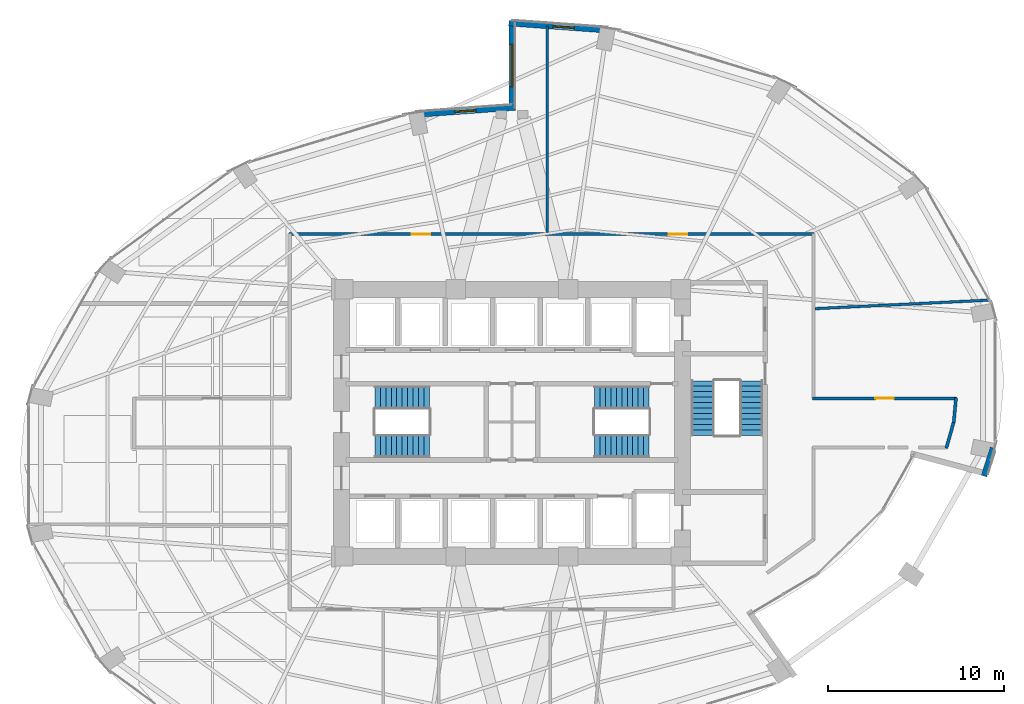
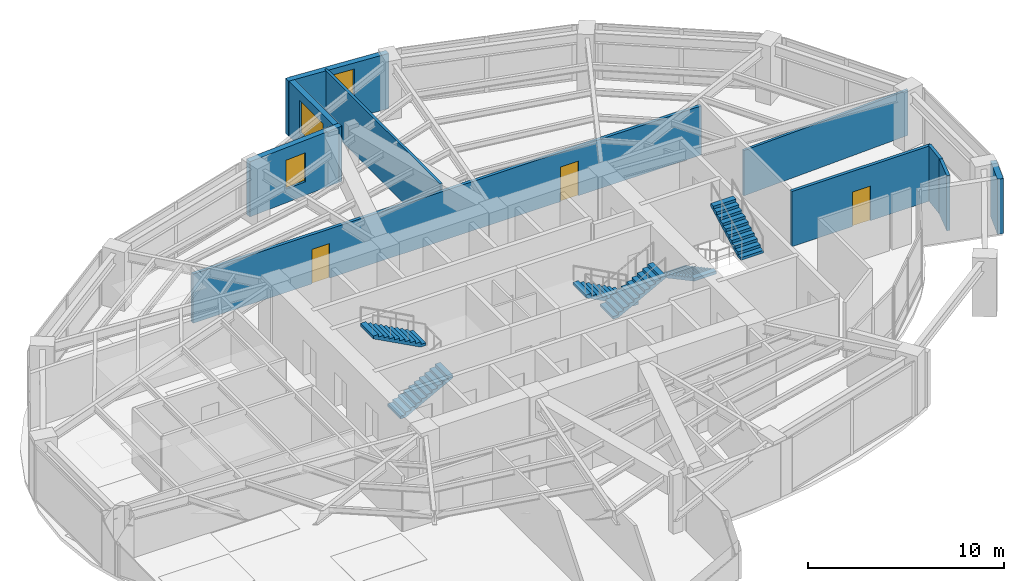
# One storey, part 22 of 24: 10 walls, 6 stair flights, 3 doors, 3 windows, 6 openings, 3 elements without a shape of their own.
"""IFC4 building model written with IfcOpenShell, lengths in metres."""

from ifc_helpers import new_model, si_unit, direction, frame, frame_2d, origin, place, context, subcontext, project, spatial, polyline, rectangle, outline, extrude, material, layer, layer_set, type_object, element, fill, aggregate, save


model = new_model("IFC4")

# Units and contexts
model_context = context("Model", 3, precision=1e-05, world=origin(), true_north=direction((0.0, 1.0)))
body_context = subcontext(model_context, "Body", "Model", "MODEL_VIEW")
ifc_project = project(units=[si_unit("LENGTHUNIT", "METRE"), si_unit("AREAUNIT", "SQUARE_METRE"), si_unit("VOLUMEUNIT", "CUBIC_METRE"), si_unit("PLANEANGLEUNIT", "RADIAN"), si_unit("MASSUNIT", "GRAM", prefix="KILO")], contexts=[model_context])

# Site, building, storey
site_placement = place(None, origin())
site = spatial("IfcSite", under=ifc_project, at=site_placement, CompositionType="ELEMENT")
building_placement = place(site_placement, origin())
building = spatial("IfcBuilding", under=site, at=building_placement, Name="Lazwardi Medical Tower", CompositionType="ELEMENT")
storey_placement = place(building_placement, frame((0.0, 0.0, 61.679931640625)))
storey = spatial("IfcBuildingStorey", under=building, at=storey_placement, Name="L15", CompositionType="ELEMENT", Elevation=61.679931640625)

# Wall, openings, doors
ifc_material_1 = material(Name="Fire-rated gypsum board on steel stud", Category="steel")
ifc_layer_1 = layer(ifc_material_1, 0.179931640625)
ifc_layer_set_1 = layer_set([ifc_layer_1], Name="Fire-rated gypsum board on steel stud")
wall_type_1 = type_object("IfcWallType", Name="WL-COR-180", PredefinedType="PARTITIONING", material=ifc_layer_set_1)
wall_1_placement = place(storey_placement, frame((23.31005859375, 38.75, 0.0), z_axis=(0.0, 0.0, 1.0), x_axis=(1.0, 0.0, 0.0)))
wall_1 = element("IfcWall", 1, at=wall_1_placement, inside=storey, type_object=wall_type_1, Name="L15 Corridor partition 4", PredefinedType="PARTITIONING", context=body_context, shape_type="SweptSolid", body=[
    extrude(rectangle(XDim=29.8798828125, YDim=0.179931640625, at=frame_2d((14.93994140625, 0.0))), origin(), (0.0, 0.0, 1.0), 3.052978515625),
])
opening_1_placement = place(wall_1_placement, frame((21.60107421875, 0.0, 0.0)))
opening_1 = element("IfcOpeningElement", 2, at=opening_1_placement, cuts=wall_1, Name="Opening D-L15-014", PredefinedType="OPENING", context=body_context, shape_type="SweptSolid", body=[
    extrude(rectangle(XDim=1.050048828125, YDim=2.14990234375, at=frame_2d((0.52490234375, 1.074951171875))), frame((0.0, 0.099853515625, 0.0), z_axis=(0.0, -1.0, 0.0), x_axis=(1.0, 0.0, 0.0)), (0.0, 0.0, 1.0), 0.199951171875),
])
opening_2_placement = place(wall_1_placement, frame((6.97900390625, 0.0, 0.0)))
opening_2 = element("IfcOpeningElement", 3, at=opening_2_placement, cuts=wall_1, Name="Opening D-L15-015", PredefinedType="OPENING", context=body_context, shape_type="SweptSolid", body=[
    extrude(rectangle(XDim=1.050048828125, YDim=2.14990234375, at=frame_2d((0.52490234375, 1.074951171875))), frame((0.0, 0.099853515625, 0.0), z_axis=(0.0, -1.0, 0.0), x_axis=(1.0, 0.0, 0.0)), (0.0, 0.0, 1.0), 0.199951171875),
])
ifc_material_2 = material(Name="Anti-microbial laminate hospital leaf")
door_type = type_object("IfcDoorType", Name="DR-CLN-1050", OperationType="NOTDEFINED", PredefinedType="DOOR", material=ifc_material_2)
door_1_placement = place(opening_1_placement, origin())
door_1 = element("IfcDoor", 4, at=door_1_placement, inside=storey, type_object=door_type, Name="L15 Clinical Specialist Office Door 06", OperationType="SINGLE_SWING_LEFT", OverallHeight=2.14990234375, OverallWidth=1.050048828125, PredefinedType="DOOR", context=body_context, shape_type="SweptSolid", body=[
    extrude(rectangle(XDim=1.050048828125, YDim=2.14990234375, at=frame_2d((0.52490234375, 1.074951171875))), frame((0.0, 0.02490234375, 0.0), z_axis=(0.0, -1.0, 0.0), x_axis=(1.0, 0.0, 0.0)), (0.0, 0.0, 1.0), 0.050048828125),
])
fill(opening_1, door_1)
door_2_placement = place(opening_2_placement, origin())
door_2 = element("IfcDoor", 5, at=door_2_placement, inside=storey, type_object=door_type, Name="L15 Clinical Specialist Office Door 07", OperationType="SINGLE_SWING_RIGHT", OverallHeight=2.14990234375, OverallWidth=1.050048828125, PredefinedType="DOOR", context=body_context, shape_type="SweptSolid", body=[
    extrude(rectangle(XDim=1.050048828125, YDim=2.14990234375, at=frame_2d((0.52490234375, 1.074951171875))), frame((0.0, 0.02490234375, 0.0), z_axis=(0.0, -1.0, 0.0), x_axis=(1.0, 0.0, 0.0)), (0.0, 0.0, 1.0), 0.050048828125),
])
fill(opening_2, door_2)

# Wall, opening, door
wall_2_placement = place(storey_placement, frame((53.110107421875, 29.39990234375, 0.0), z_axis=(0.0, 0.0, 1.0), x_axis=(1.0, 0.0, 0.0)))
wall_2 = element("IfcWall", 6, at=wall_2_placement, inside=storey, type_object=wall_type_1, Name="L15 Corridor partition 6", PredefinedType="PARTITIONING", context=body_context, shape_type="SweptSolid", body=[
    extrude(rectangle(XDim=8.19677734375, YDim=0.179931640625, at=frame_2d((4.098388671875, 0.0))), origin(), (0.0, 0.0, 1.0), 3.427978515625),
])
opening_3_placement = place(wall_2_placement, frame((3.573486328125, 0.0, 0.0)))
opening_3 = element("IfcOpeningElement", 7, at=opening_3_placement, cuts=wall_2, Name="Opening D-L15-013", PredefinedType="OPENING", context=body_context, shape_type="SweptSolid", body=[
    extrude(rectangle(XDim=1.050048828125, YDim=2.14990234375, at=frame_2d((0.52490234375, 1.074951171875))), frame((0.0, 0.099853515625, 0.0), z_axis=(0.0, -1.0, 0.0), x_axis=(1.0, 0.0, 0.0)), (0.0, 0.0, 1.0), 0.199951171875),
])
door_3_placement = place(opening_3_placement, origin())
door_3 = element("IfcDoor", 8, at=door_3_placement, inside=storey, type_object=door_type, Name="L15 Clinical Specialist Office Door 05", OperationType="SINGLE_SWING_RIGHT", OverallHeight=2.14990234375, OverallWidth=1.050048828125, PredefinedType="DOOR", context=body_context, shape_type="SweptSolid", body=[
    extrude(rectangle(XDim=1.050048828125, YDim=2.14990234375, at=frame_2d((0.52490234375, 1.074951171875))), frame((0.0, 0.02490234375, 0.0), z_axis=(0.0, -1.0, 0.0), x_axis=(1.0, 0.0, 0.0)), (0.0, 0.0, 1.0), 0.050048828125),
])
fill(opening_3, door_3)

# Walls
wall_3_placement = place(storey_placement, frame((61.2705078125, 29.439697265625, 0.0), z_axis=(0.0, 0.0, 1.0), x_axis=(-0.092539930621, -0.995708974169, 0.0)))
element("IfcWall", 9, at=wall_3_placement, inside=storey, type_object=wall_type_1, Name="L15 Corridor partition 7", PredefinedType="PARTITIONING", context=body_context, shape_type="SweptSolid", body=[
    extrude(rectangle(XDim=1.416748046875, YDim=0.179931640625, at=frame_2d((0.70849609375, 0.0))), origin(), (0.0, 0.0, 1.0), 3.427978515625),
])
wall_4_placement = place(storey_placement, frame((61.15380859375, 28.107421875, 0.0), z_axis=(0.0, 0.0, 1.0), x_axis=(-0.271748942561, -0.962368179138, 0.0)))
element("IfcWall", 10, at=wall_4_placement, inside=storey, type_object=wall_type_1, Name="L15 Corridor partition 8", PredefinedType="PARTITIONING", context=body_context, shape_type="SweptSolid", body=[
    extrude(rectangle(XDim=1.6064453125, YDim=0.179931640625, at=frame_2d((0.80322265625, 0.0))), origin(), (0.0, 0.0, 1.0), 3.427978515625),
])

# Wall, opening, window
ifc_material_3 = material(Name="Precast concrete C45/55", Category="concrete")
ifc_layer_2 = layer(ifc_material_3, 0.320068359375)
ifc_layer_set_2 = layer_set([ifc_layer_2], Name="Precast concrete C45/55")
wall_type_2 = type_object("IfcWallType", Name="WL-IWAN-320", PredefinedType="SOLIDWALL", material=ifc_layer_set_2)
wall_5_placement = place(storey_placement, frame((41.481201171875, 50.345703125, 0.0), z_axis=(0.0, 0.0, 1.0), x_axis=(-0.997422321809, 0.071754525696, 0.0)))
wall_5 = element("IfcWall", 11, at=wall_5_placement, inside=storey, type_object=wall_type_2, Name="L15 Iwan Portal Return Wall NE_ret", PredefinedType="SOLIDWALL", context=body_context, shape_type="SweptSolid", body=[
    extrude(rectangle(XDim=5.67529296875, YDim=0.320068359375, at=frame_2d((2.837646484375, 0.0))), origin(), (0.0, 0.0, 1.0), 3.427978515625),
])
opening_4_placement = place(wall_5_placement, frame((1.94921875, 0.0, 0.85009765625)))
opening_4 = element("IfcOpeningElement", 12, at=opening_4_placement, cuts=wall_5, Name="Opening WN-01", PredefinedType="OPENING", context=body_context, shape_type="SweptSolid", body=[
    extrude(rectangle(XDim=1.199951171875, YDim=2.199951171875, at=frame_2d((0.60009765625, 1.10009765625))), frame((0.0, 0.169921875, 0.0), z_axis=(0.0, -1.0, 0.0), x_axis=(1.0, 0.0, 0.0)), (0.0, 0.0, 1.0), 0.340087890625),
])
ifc_material_4 = material(Name="Low-e bronze solar control double glazing", Category="glass")
window_type_1 = type_object("IfcWindowType", Name="WIN-IW-1200", PartitioningType="SINGLE_PANEL", PredefinedType="WINDOW", material=ifc_material_4)
window_1_placement = place(opening_4_placement, origin())
window_1 = element("IfcWindow", 13, at=window_1_placement, inside=storey, type_object=window_type_1, Name="L15 Iwan Slot Window NE_ret", OverallHeight=2.199951171875, OverallWidth=1.199951171875, PartitioningType="SINGLE_PANEL", PredefinedType="WINDOW", context=body_context, shape_type="SweptSolid", body=[
    extrude(rectangle(XDim=1.199951171875, YDim=2.199951171875, at=frame_2d((0.60009765625, 1.10009765625))), frame((0.0, 0.030029296875, 0.0), z_axis=(0.0, -1.0, 0.0), x_axis=(1.0, 0.0, 0.0)), (0.0, 0.0, 1.0), 0.06005859375),
])
fill(opening_4, window_1)

wall_6_placement = place(storey_placement, frame((36.178955078125, 45.952880859375, 0.0), z_axis=(0.0, 0.0, 1.0), x_axis=(-0.997421878774, -0.071760683825, 0.0)))
wall_6 = element("IfcWall", 14, at=wall_6_placement, inside=storey, type_object=wall_type_2, Name="L15 Iwan Portal Return Wall NW_ret", PredefinedType="SOLIDWALL", context=body_context, shape_type="SweptSolid", body=[
    extrude(rectangle(XDim=5.6748046875, YDim=0.320068359375, at=frame_2d((2.83740234375, 0.0))), origin(), (0.0, 0.0, 1.0), 3.427978515625),
])
opening_5_placement = place(wall_6_placement, frame((2.2373046875, 0.0, 0.85009765625)))
opening_5 = element("IfcOpeningElement", 15, at=opening_5_placement, cuts=wall_6, Name="Opening WN-04", PredefinedType="OPENING", context=body_context, shape_type="SweptSolid", body=[
    extrude(rectangle(XDim=1.199951171875, YDim=1.800048828125, at=frame_2d((0.60009765625, 0.89990234375))), frame((0.0, 0.169921875, 0.0), z_axis=(0.0, -1.0, 0.0), x_axis=(1.0, 0.0, 0.0)), (0.0, 0.0, 1.0), 0.340087890625),
])
window_type_2 = type_object("IfcWindowType", Name="WIN-DRUM-1200", PartitioningType="SINGLE_PANEL", PredefinedType="WINDOW", material=ifc_material_4)
window_2_placement = place(opening_5_placement, origin())
window_2 = element("IfcWindow", 16, at=window_2_placement, inside=storey, type_object=window_type_2, Name="L15 Iwan Slot Window NW_ret", OverallHeight=1.800048828125, OverallWidth=1.199951171875, PartitioningType="SINGLE_PANEL", PredefinedType="WINDOW", context=body_context, shape_type="SweptSolid", body=[
    extrude(rectangle(XDim=1.199951171875, YDim=1.800048828125, at=frame_2d((0.60009765625, 0.89990234375))), frame((0.0, 0.030029296875, 0.0), z_axis=(0.0, -1.0, 0.0), x_axis=(1.0, 0.0, 0.0)), (0.0, 0.0, 1.0), 0.06005859375),
])
fill(opening_5, window_2)

wall_7_placement = place(storey_placement, frame((36.0, 50.89990234375, 0.0), z_axis=(0.0, 0.0, 1.0), x_axis=(0.0, -1.0, 0.0)))
wall_7 = element("IfcWall", 17, at=wall_7_placement, inside=storey, type_object=wall_type_2, Name="L15 Turquoise Tilework Iwan Seam Wall N_seam", PredefinedType="SOLIDWALL", context=body_context, shape_type="SweptSolid", body=[
    extrude(rectangle(XDim=5.119873046875, YDim=0.320068359375, at=frame_2d((2.56005859375, 0.0))), origin(), (0.0, 0.0, 1.0), 3.427978515625),
])
opening_6_placement = place(wall_7_placement, frame((1.360107421875, 0.0, 0.840087890625)))
opening_6 = element("IfcOpeningElement", 18, at=opening_6_placement, cuts=wall_7, Name="Opening WN-02", PredefinedType="OPENING", context=body_context, shape_type="SweptSolid", body=[
    extrude(rectangle(XDim=2.39990234375, YDim=2.0400390625, at=frame_2d((1.199951171875, 1.02001953125))), frame((0.0, 0.169921875, 0.0), z_axis=(0.0, -1.0, 0.0), x_axis=(1.0, 0.0, 0.0)), (0.0, 0.0, 1.0), 0.340087890625),
])
window_type_3 = type_object("IfcWindowType", Name="WIN-IW-2400", PartitioningType="SINGLE_PANEL", PredefinedType="WINDOW", material=ifc_material_4)
window_3_placement = place(opening_6_placement, origin())
window_3 = element("IfcWindow", 19, at=window_3_placement, inside=storey, type_object=window_type_3, Name="L15 Iwan Seam Window N_seam", OverallHeight=2.0400390625, OverallWidth=2.39990234375, PartitioningType="SINGLE_PANEL", PredefinedType="WINDOW", context=body_context, shape_type="SweptSolid", body=[
    extrude(rectangle(XDim=2.39990234375, YDim=2.0400390625, at=frame_2d((1.199951171875, 1.02001953125))), frame((0.0, 0.030029296875, 0.0), z_axis=(0.0, -1.0, 0.0), x_axis=(1.0, 0.0, 0.0)), (0.0, 0.0, 1.0), 0.06005859375),
])
fill(opening_6, window_3)

# Walls
wall_8_placement = place(storey_placement, frame((62.862060546875, 24.97802734375, 0.0), z_axis=(0.0, 0.0, 1.0), x_axis=(0.303964491771, 0.952683361743, 0.0)))
element("IfcWall", 20, at=wall_8_placement, inside=storey, type_object=wall_type_2, Name="L15 Sky Garden SG1 Jamb Return Wall", PredefinedType="SOLIDWALL", context=body_context, shape_type="SweptSolid", body=[
    extrude(rectangle(XDim=1.681884765625, YDim=0.320068359375, at=frame_2d((0.8408203125, 0.0))), origin(), (0.0, 0.0, 1.0), 3.427978515625),
])
ifc_material_5 = material(Name="Acoustic gypsum board partition")
ifc_layer_3 = layer(ifc_material_5, 0.14990234375)
ifc_layer_set_3 = layer_set([ifc_layer_3], Name="Acoustic gypsum board partition")
wall_type_3 = type_object("IfcWallType", Name="WL-WRD-150", PredefinedType="PARTITIONING", material=ifc_layer_set_3)
wall_9_placement = place(storey_placement, frame((53.239990234375, 34.503662109375, 0.0), z_axis=(0.0, 0.0, 1.0), x_axis=(0.998798003682, 0.049015791742, 0.0)))
element("IfcWall", 21, at=wall_9_placement, inside=storey, type_object=wall_type_3, Name="L15 Room partition 3", PredefinedType="PARTITIONING", context=body_context, shape_type="SweptSolid", body=[
    extrude(rectangle(XDim=9.94677734375, YDim=0.14990234375, at=frame_2d((4.973388671875, 0.0))), origin(), (0.0, 0.0, 1.0), 2.81298828125),
])
wall_10_placement = place(storey_placement, frame((38.0, 38.840087890625, 0.0), z_axis=(0.0, 0.0, 1.0), x_axis=(0.0, 1.0, 0.0)))
element("IfcWall", 22, at=wall_10_placement, inside=storey, type_object=wall_type_3, Name="L15 Room partition 4", PredefinedType="PARTITIONING", context=body_context, shape_type="SweptSolid", body=[
    extrude(rectangle(XDim=11.743408203125, YDim=0.14990234375, at=frame_2d((5.87158203125, 0.0))), origin(), (0.0, 0.0, 1.0), 3.427978515625),
])

# Stair, stair flights
ifc_material_6 = material(Name="Concrete C45/55", Category="concrete")
stair_type = type_object("IfcStairType", Name="STR-WRD", PredefinedType="HALF_TURN_STAIR", material=ifc_material_6)
stair_1_placement = place(storey_placement, origin())
stair_1 = element("IfcStair", 23, at=stair_1_placement, inside=storey, type_object=stair_type, Name="L15 Protected Exit Stair ST1", PredefinedType="HALF_TURN_STAIR")
stair_flight_type = type_object("IfcStairFlightType", Name="FLT-WRD", PredefinedType="STRAIGHT", material=ifc_material_6)
stair_flight_1_placement = place(storey_placement, frame((28.199951171875, 26.679931640625, 0.0), z_axis=(0.0, 0.0, 1.0), x_axis=(1.0, 0.0, 0.0)))
stair_flight_1 = element("IfcStairFlight", 24, at=stair_flight_1_placement, type_object=stair_flight_type, Name="ST1 flight 1", NumberOfRisers=11, NumberOfTreads=10, PredefinedType="STRAIGHT", RiserHeight=0.165818182, TreadLength=0.31, context=body_context, shape_type="SweptSolid", body=[
    extrude(outline(polyline([(0.0, 0.0), (0.0, 0.165771484375), (0.31005859375, 0.165771484375), (0.31005859375, 0.33154296875), (0.6201171875, 0.33154296875), (0.6201171875, 0.49755859375), (0.929931640625, 0.49755859375), (0.929931640625, 0.663330078125), (1.239990234375, 0.663330078125), (1.239990234375, 0.8291015625), (1.550048828125, 0.8291015625), (1.550048828125, 0.994873046875), (1.860107421875, 0.994873046875), (1.860107421875, 1.16064453125), (2.169921875, 1.16064453125), (2.169921875, 1.32666015625), (2.47998046875, 1.32666015625), (2.47998046875, 1.492431640625), (2.7900390625, 1.492431640625), (2.7900390625, 1.658203125), (3.10009765625, 1.658203125), (3.10009765625, 1.823974609375), (3.10009765625, 1.48828125), (0.31787109375, 0.0), (0.0, 0.0)])), frame((0.0, 0.66015625, 0.0), z_axis=(0.0, -1.0, 0.0), x_axis=(1.0, 0.0, 0.0)), (0.0, 0.0, 1.0), 1.320068359375),
])
stair_flight_2_placement = place(storey_placement, frame((31.300048828125, 29.43994140625, 1.823974609375), z_axis=(0.0, 0.0, 1.0), x_axis=(-1.0, 0.0, 0.0)))
stair_flight_2 = element("IfcStairFlight", 25, at=stair_flight_2_placement, type_object=stair_flight_type, Name="ST1 flight 2", NumberOfRisers=11, NumberOfTreads=10, PredefinedType="STRAIGHT", RiserHeight=0.165818182, TreadLength=0.31, context=body_context, shape_type="SweptSolid", body=[
    extrude(outline(polyline([(0.0, 0.0), (0.0, 0.165771484375), (0.31005859375, 0.165771484375), (0.31005859375, 0.33154296875), (0.6201171875, 0.33154296875), (0.6201171875, 0.49755859375), (0.929931640625, 0.49755859375), (0.929931640625, 0.663330078125), (1.239990234375, 0.663330078125), (1.239990234375, 0.8291015625), (1.550048828125, 0.8291015625), (1.550048828125, 0.994873046875), (1.860107421875, 0.994873046875), (1.860107421875, 1.16064453125), (2.169921875, 1.16064453125), (2.169921875, 1.32666015625), (2.47998046875, 1.32666015625), (2.47998046875, 1.492431640625), (2.7900390625, 1.492431640625), (2.7900390625, 1.658203125), (3.10009765625, 1.658203125), (3.10009765625, 1.823974609375), (3.10009765625, 1.48828125), (0.31787109375, 0.0), (0.0, 0.0)])), frame((0.0, 0.66015625, 0.0), z_axis=(0.0, -1.0, 0.0), x_axis=(1.0, 0.0, 0.0)), (0.0, 0.0, 1.0), 1.320068359375),
])
aggregate(stair_1, [stair_flight_1, stair_flight_2])

stair_2_placement = place(storey_placement, origin())
stair_2 = element("IfcStair", 26, at=stair_2_placement, inside=storey, type_object=stair_type, Name="L15 Protected Exit Stair ST2", PredefinedType="HALF_TURN_STAIR")
stair_flight_3_placement = place(storey_placement, frame((43.800048828125, 29.43994140625, 0.0), z_axis=(0.0, 0.0, 1.0), x_axis=(-1.0, 0.0, 0.0)))
stair_flight_3 = element("IfcStairFlight", 27, at=stair_flight_3_placement, type_object=stair_flight_type, Name="ST2 flight 1", NumberOfRisers=11, NumberOfTreads=10, PredefinedType="STRAIGHT", RiserHeight=0.165818182, TreadLength=0.31, context=body_context, shape_type="SweptSolid", body=[
    extrude(outline(polyline([(0.0, 0.0), (0.0, 0.165771484375), (0.31005859375, 0.165771484375), (0.31005859375, 0.33154296875), (0.6201171875, 0.33154296875), (0.6201171875, 0.49755859375), (0.929931640625, 0.49755859375), (0.929931640625, 0.663330078125), (1.239990234375, 0.663330078125), (1.239990234375, 0.8291015625), (1.550048828125, 0.8291015625), (1.550048828125, 0.994873046875), (1.860107421875, 0.994873046875), (1.860107421875, 1.16064453125), (2.169921875, 1.16064453125), (2.169921875, 1.32666015625), (2.47998046875, 1.32666015625), (2.47998046875, 1.492431640625), (2.7900390625, 1.492431640625), (2.7900390625, 1.658203125), (3.10009765625, 1.658203125), (3.10009765625, 1.823974609375), (3.10009765625, 1.48828125), (0.31787109375, 0.0), (0.0, 0.0)])), frame((0.0, 0.66015625, 0.0), z_axis=(0.0, -1.0, 0.0), x_axis=(1.0, 0.0, 0.0)), (0.0, 0.0, 1.0), 1.320068359375),
])
stair_flight_4_placement = place(storey_placement, frame((40.699951171875, 26.679931640625, 1.823974609375), z_axis=(0.0, 0.0, 1.0), x_axis=(1.0, 0.0, 0.0)))
stair_flight_4 = element("IfcStairFlight", 28, at=stair_flight_4_placement, type_object=stair_flight_type, Name="ST2 flight 2", NumberOfRisers=11, NumberOfTreads=10, PredefinedType="STRAIGHT", RiserHeight=0.165818182, TreadLength=0.31, context=body_context, shape_type="SweptSolid", body=[
    extrude(outline(polyline([(0.0, 0.0), (0.0, 0.165771484375), (0.31005859375, 0.165771484375), (0.31005859375, 0.33154296875), (0.6201171875, 0.33154296875), (0.6201171875, 0.49755859375), (0.929931640625, 0.49755859375), (0.929931640625, 0.663330078125), (1.239990234375, 0.663330078125), (1.239990234375, 0.8291015625), (1.550048828125, 0.8291015625), (1.550048828125, 0.994873046875), (1.860107421875, 0.994873046875), (1.860107421875, 1.16064453125), (2.169921875, 1.16064453125), (2.169921875, 1.32666015625), (2.47998046875, 1.32666015625), (2.47998046875, 1.492431640625), (2.7900390625, 1.492431640625), (2.7900390625, 1.658203125), (3.10009765625, 1.658203125), (3.10009765625, 1.823974609375), (3.10009765625, 1.48828125), (0.31787109375, 0.0), (0.0, 0.0)])), frame((0.0, 0.66015625, 0.0), z_axis=(0.0, -1.0, 0.0), x_axis=(1.0, 0.0, 0.0)), (0.0, 0.0, 1.0), 1.320068359375),
])
aggregate(stair_2, [stair_flight_3, stair_flight_4])

stair_3_placement = place(storey_placement, origin())
stair_3 = element("IfcStair", 29, at=stair_3_placement, inside=storey, type_object=stair_type, Name="L15 Protected Exit Stair ST3", PredefinedType="HALF_TURN_STAIR")
stair_flight_5_placement = place(storey_placement, frame((46.860107421875, 30.39990234375, 0.0), z_axis=(0.0, 0.0, 1.0), x_axis=(0.0, -1.0, 0.0)))
stair_flight_5 = element("IfcStairFlight", 30, at=stair_flight_5_placement, type_object=stair_flight_type, Name="ST3 flight 1", NumberOfRisers=11, NumberOfTreads=10, PredefinedType="STRAIGHT", RiserHeight=0.165818182, TreadLength=0.31, context=body_context, shape_type="SweptSolid", body=[
    extrude(outline(polyline([(0.0, 0.0), (0.0, 0.165771484375), (0.31005859375, 0.165771484375), (0.31005859375, 0.33154296875), (0.6201171875, 0.33154296875), (0.6201171875, 0.49755859375), (0.929931640625, 0.49755859375), (0.929931640625, 0.663330078125), (1.239990234375, 0.663330078125), (1.239990234375, 0.8291015625), (1.550048828125, 0.8291015625), (1.550048828125, 0.994873046875), (1.860107421875, 0.994873046875), (1.860107421875, 1.16064453125), (2.169921875, 1.16064453125), (2.169921875, 1.32666015625), (2.47998046875, 1.32666015625), (2.47998046875, 1.492431640625), (2.7900390625, 1.492431640625), (2.7900390625, 1.658203125), (3.10009765625, 1.658203125), (3.10009765625, 1.823974609375), (3.10009765625, 1.48828125), (0.31787109375, 0.0), (0.0, 0.0)])), frame((0.0, 0.66015625, 0.0), z_axis=(0.0, -1.0, 0.0), x_axis=(1.0, 0.0, 0.0)), (0.0, 0.0, 1.0), 1.320068359375),
])
stair_flight_6_placement = place(storey_placement, frame((49.6201171875, 27.300048828125, 1.823974609375), z_axis=(0.0, 0.0, 1.0), x_axis=(0.0, 1.0, 0.0)))
stair_flight_6 = element("IfcStairFlight", 31, at=stair_flight_6_placement, type_object=stair_flight_type, Name="ST3 flight 2", NumberOfRisers=11, NumberOfTreads=10, PredefinedType="STRAIGHT", RiserHeight=0.165818182, TreadLength=0.31, context=body_context, shape_type="SweptSolid", body=[
    extrude(outline(polyline([(0.0, 0.0), (0.0, 0.165771484375), (0.31005859375, 0.165771484375), (0.31005859375, 0.33154296875), (0.6201171875, 0.33154296875), (0.6201171875, 0.49755859375), (0.929931640625, 0.49755859375), (0.929931640625, 0.663330078125), (1.239990234375, 0.663330078125), (1.239990234375, 0.8291015625), (1.550048828125, 0.8291015625), (1.550048828125, 0.994873046875), (1.860107421875, 0.994873046875), (1.860107421875, 1.16064453125), (2.169921875, 1.16064453125), (2.169921875, 1.32666015625), (2.47998046875, 1.32666015625), (2.47998046875, 1.492431640625), (2.7900390625, 1.492431640625), (2.7900390625, 1.658203125), (3.10009765625, 1.658203125), (3.10009765625, 1.823974609375), (3.10009765625, 1.48828125), (0.31787109375, 0.0), (0.0, 0.0)])), frame((0.0, 0.66015625, 0.0), z_axis=(0.0, -1.0, 0.0), x_axis=(1.0, 0.0, 0.0)), (0.0, 0.0, 1.0), 1.320068359375),
])
aggregate(stair_3, [stair_flight_5, stair_flight_6])

save(model, "model.ifc")
